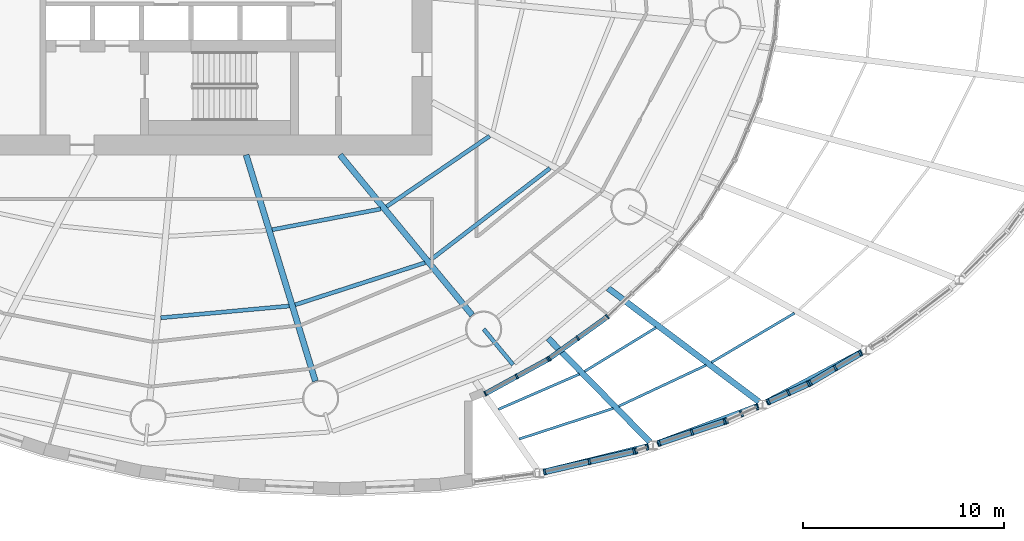
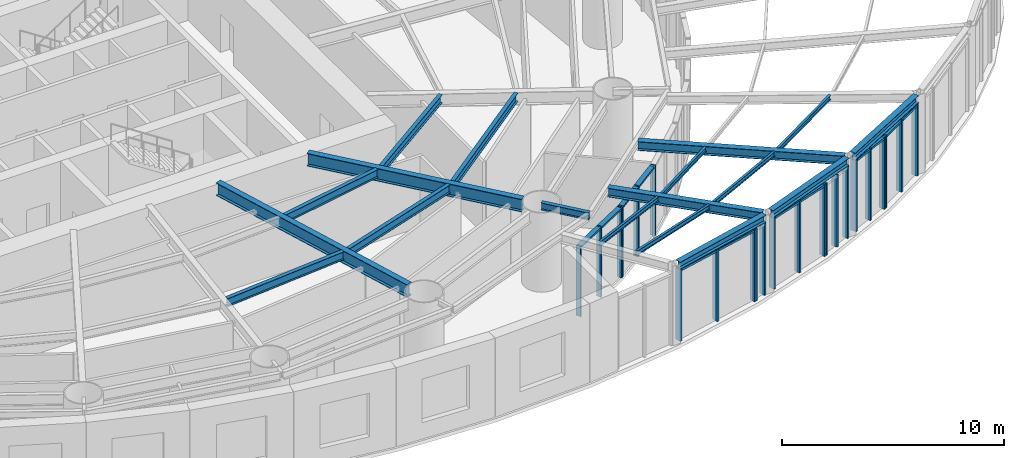
# One storey, part 5 of 23: 35 members, 18 beams, 9 elements without a shape of their own.
"""IFC4 building model written with IfcOpenShell, lengths in metres."""

from ifc_helpers import new_model, si_unit, direction, frame, origin, origin_2d, place, context, subcontext, project, spatial, rectangle, i_section, extrude, material, material_profile, profile_set, type_object, element, aggregate, save


model = new_model("IFC4")

# Units and contexts
model_context = context("Model", 3, precision=1e-05, world=origin(), true_north=direction((0.0, 1.0)))
body_context = subcontext(model_context, "Body", "Model", "MODEL_VIEW")
ifc_project = project(units=[si_unit("LENGTHUNIT", "METRE"), si_unit("AREAUNIT", "SQUARE_METRE"), si_unit("VOLUMEUNIT", "CUBIC_METRE"), si_unit("PLANEANGLEUNIT", "RADIAN"), si_unit("MASSUNIT", "GRAM", prefix="KILO")], contexts=[model_context])

# Site, building, storey
site_placement = place(None, origin())
site = spatial("IfcSite", under=ifc_project, at=site_placement, CompositionType="ELEMENT")
building_placement = place(site_placement, origin())
building = spatial("IfcBuilding", under=site, at=building_placement, Name="Vermilion Reach Broadcast Tower", CompositionType="ELEMENT")
storey_placement = place(building_placement, frame((0.0, 0.0, 31.5)))
storey = spatial("IfcBuildingStorey", under=building, at=storey_placement, Name="L04", CompositionType="ELEMENT", Elevation=31.5)

# Curtain wall, members
ifc_material_1 = material(Name="Low-e laminated clear glass in aluminium frame", Category="aluminium")
curtain_wall_type_1 = type_object("IfcCurtainWallType", Name="Atrium outer wall curtain wall", PredefinedType="NOTDEFINED", material=ifc_material_1)
placement = place(storey_placement, origin())
curtain_wall_1 = element("IfcCurtainWall", 1, at=placement, inside=storey, type_object=curtain_wall_type_1, Name="Atrium wall L04 02", PredefinedType="NOTDEFINED")
ifc_material_2 = material(Name="Anodised aluminium", Category="aluminium")
ifc_material_profile_1 = material_profile(ifc_material_2, rectangle(XDim=0.300048828125, YDim=0.10009765625, at=origin_2d()), Name="Atrium outer wall mullion 100 x 300")
ifc_profile_set_1 = profile_set([ifc_material_profile_1], Name="Anodised aluminium")
member_type_1 = type_object("IfcMemberType", Name="Atrium outer wall mullion 100 x 300", PredefinedType="MULLION", material=ifc_profile_set_1)
member_1_placement = place(storey_placement, frame((11.594482421875, -24.760009765625, 0.0), z_axis=(0.0, 0.0, 1.0), x_axis=(-0.222891523278, 0.974843253478, 0.0)))
member_1 = element("IfcMember", 2, at=member_1_placement, type_object=member_type_1, Name="Atrium wall mullion L04 02.1", PredefinedType="MULLION", context=body_context, shape_type="SweptSolid", body=[
    extrude(rectangle(XDim=0.300048828125, YDim=0.10009765625, at=origin_2d()), origin(), (0.0, 0.0, 1.0), 3.9599609375),
])
member_2_placement = place(storey_placement, frame((13.818359375, -24.251708984375, 0.0), z_axis=(0.0, 0.0, 1.0), x_axis=(-0.222891523278, 0.974843253478, 0.0)))
member_2 = element("IfcMember", 3, at=member_2_placement, type_object=member_type_1, Name="Atrium wall mullion L04 02.2", PredefinedType="MULLION", context=body_context, shape_type="SweptSolid", body=[
    extrude(rectangle(XDim=0.300048828125, YDim=0.10009765625, at=origin_2d()), origin(), (0.0, 0.0, 1.0), 3.9599609375),
])
member_3_placement = place(storey_placement, frame((16.042236328125, -23.7431640625, 0.0), z_axis=(0.0, 0.0, 1.0), x_axis=(-0.222891523278, 0.974843253478, 0.0)))
member_3 = element("IfcMember", 4, at=member_3_placement, type_object=member_type_1, Name="Atrium wall mullion L04 02.3", PredefinedType="MULLION", context=body_context, shape_type="SweptSolid", body=[
    extrude(rectangle(XDim=0.300048828125, YDim=0.10009765625, at=origin_2d()), origin(), (0.0, 0.0, 1.0), 3.9599609375),
])

curtain_wall_2 = element("IfcCurtainWall", 5, at=placement, inside=storey, type_object=curtain_wall_type_1, Name="Atrium wall L04 03-1", PredefinedType="NOTDEFINED")
member_4_placement = place(storey_placement, frame((16.138427734375, -23.71630859375, 0.0), z_axis=(0.0, 0.0, 1.0), x_axis=(-0.315228098746, 0.949015935462, 0.0)))
member_4 = element("IfcMember", 6, at=member_4_placement, type_object=member_type_1, Name="Atrium wall mullion L04 03-1.1", PredefinedType="MULLION", context=body_context, shape_type="SweptSolid", body=[
    extrude(rectangle(XDim=0.300048828125, YDim=0.10009765625, at=origin_2d()), origin(), (0.0, 0.0, 1.0), 3.9599609375),
])
member_5_placement = place(storey_placement, frame((16.67724609375, -23.537353515625, 0.0), z_axis=(0.0, 0.0, 1.0), x_axis=(-0.315228098746, 0.949015935462, 0.0)))
member_5 = element("IfcMember", 7, at=member_5_placement, type_object=member_type_1, Name="Atrium wall mullion L04 03-1.2", PredefinedType="MULLION", context=body_context, shape_type="SweptSolid", body=[
    extrude(rectangle(XDim=0.300048828125, YDim=0.10009765625, at=origin_2d()), origin(), (0.0, 0.0, 1.0), 3.9599609375),
])
aggregate(curtain_wall_2, [member_4, member_5])

curtain_wall_3 = element("IfcCurtainWall", 8, at=placement, inside=storey, type_object=curtain_wall_type_1, Name="Atrium wall L04 03-2", PredefinedType="NOTDEFINED")
member_6_placement = place(storey_placement, frame((17.2919921875, -23.3330078125, 0.0), z_axis=(0.0, 0.0, 1.0), x_axis=(-0.315228098746, 0.949015935462, 0.0)))
member_6 = element("IfcMember", 9, at=member_6_placement, type_object=member_type_1, Name="Atrium wall mullion L04 03-2.1", PredefinedType="MULLION", context=body_context, shape_type="SweptSolid", body=[
    extrude(rectangle(XDim=0.300048828125, YDim=0.10009765625, at=origin_2d()), origin(), (0.0, 0.0, 1.0), 3.9599609375),
])
member_7_placement = place(storey_placement, frame((18.91796875, -22.79296875, 0.0), z_axis=(0.0, 0.0, 1.0), x_axis=(-0.315228098746, 0.949015935462, 0.0)))
member_7 = element("IfcMember", 10, at=member_7_placement, type_object=member_type_1, Name="Atrium wall mullion L04 03-2.2", PredefinedType="MULLION", context=body_context, shape_type="SweptSolid", body=[
    extrude(rectangle(XDim=0.300048828125, YDim=0.10009765625, at=origin_2d()), origin(), (0.0, 0.0, 1.0), 3.9599609375),
])
member_8_placement = place(storey_placement, frame((20.5439453125, -22.2529296875, 0.0), z_axis=(0.0, 0.0, 1.0), x_axis=(-0.315228098746, 0.949015935462, 0.0)))
member_8 = element("IfcMember", 11, at=member_8_placement, type_object=member_type_1, Name="Atrium wall mullion L04 03-2.3", PredefinedType="MULLION", context=body_context, shape_type="SweptSolid", body=[
    extrude(rectangle(XDim=0.300048828125, YDim=0.10009765625, at=origin_2d()), origin(), (0.0, 0.0, 1.0), 3.9599609375),
])

curtain_wall_4 = element("IfcCurtainWall", 12, at=placement, inside=storey, type_object=curtain_wall_type_1, Name="Atrium wall L04 04-1", PredefinedType="NOTDEFINED")
member_9_placement = place(storey_placement, frame((20.636962890625, -22.216552734375, 0.0), z_axis=(0.0, 0.0, 1.0), x_axis=(-0.410407876277, 0.911902064418, 0.0)))
member_9 = element("IfcMember", 13, at=member_9_placement, type_object=member_type_1, Name="Atrium wall mullion L04 04-1.1", PredefinedType="MULLION", context=body_context, shape_type="SweptSolid", body=[
    extrude(rectangle(XDim=0.300048828125, YDim=0.10009765625, at=origin_2d()), origin(), (0.0, 0.0, 1.0), 3.9599609375),
])
member_10_placement = place(storey_placement, frame((21.386474609375, -21.87939453125, 0.0), z_axis=(0.0, 0.0, 1.0), x_axis=(-0.410407876277, 0.911902064418, 0.0)))
member_10 = element("IfcMember", 14, at=member_10_placement, type_object=member_type_1, Name="Atrium wall mullion L04 04-1.2", PredefinedType="MULLION", context=body_context, shape_type="SweptSolid", body=[
    extrude(rectangle(XDim=0.300048828125, YDim=0.10009765625, at=origin_2d()), origin(), (0.0, 0.0, 1.0), 3.9599609375),
])
member_11_placement = place(storey_placement, frame((22.1357421875, -21.5419921875, 0.0), z_axis=(0.0, 0.0, 1.0), x_axis=(-0.410407876277, 0.911902064418, 0.0)))
member_11 = element("IfcMember", 15, at=member_11_placement, type_object=member_type_1, Name="Atrium wall mullion L04 04-1.3", PredefinedType="MULLION", context=body_context, shape_type="SweptSolid", body=[
    extrude(rectangle(XDim=0.300048828125, YDim=0.10009765625, at=origin_2d()), origin(), (0.0, 0.0, 1.0), 3.9599609375),
])
aggregate(curtain_wall_4, [member_9, member_10, member_11])

curtain_wall_5 = element("IfcCurtainWall", 16, at=placement, inside=storey, type_object=curtain_wall_type_1, Name="Atrium wall L04 04-2", PredefinedType="NOTDEFINED")
member_12_placement = place(storey_placement, frame((22.726806640625, -21.276123046875, 0.0), z_axis=(0.0, 0.0, 1.0), x_axis=(-0.410407876277, 0.911902064418, 0.0)))
member_12 = element("IfcMember", 17, at=member_12_placement, type_object=member_type_1, Name="Atrium wall mullion L04 04-2.1", PredefinedType="MULLION", context=body_context, shape_type="SweptSolid", body=[
    extrude(rectangle(XDim=0.300048828125, YDim=0.10009765625, at=origin_2d()), origin(), (0.0, 0.0, 1.0), 3.9599609375),
])
member_13_placement = place(storey_placement, frame((23.720947265625, -20.82861328125, 0.0), z_axis=(0.0, 0.0, 1.0), x_axis=(-0.410407876277, 0.911902064418, 0.0)))
member_13 = element("IfcMember", 18, at=member_13_placement, type_object=member_type_1, Name="Atrium wall mullion L04 04-2.2", PredefinedType="MULLION", context=body_context, shape_type="SweptSolid", body=[
    extrude(rectangle(XDim=0.300048828125, YDim=0.10009765625, at=origin_2d()), origin(), (0.0, 0.0, 1.0), 3.9599609375),
])
member_14_placement = place(storey_placement, frame((24.715087890625, -20.38134765625, 0.0), z_axis=(0.0, 0.0, 1.0), x_axis=(-0.410407876277, 0.911902064418, 0.0)))
member_14 = element("IfcMember", 19, at=member_14_placement, type_object=member_type_1, Name="Atrium wall mullion L04 04-2.3", PredefinedType="MULLION", context=body_context, shape_type="SweptSolid", body=[
    extrude(rectangle(XDim=0.300048828125, YDim=0.10009765625, at=origin_2d()), origin(), (0.0, 0.0, 1.0), 3.9599609375),
])

curtain_wall_6 = element("IfcCurtainWall", 20, at=placement, inside=storey, type_object=curtain_wall_type_1, Name="Atrium wall L04 05-1", PredefinedType="NOTDEFINED")
member_15_placement = place(storey_placement, frame((24.8037109375, -20.33544921875, 0.0), z_axis=(0.0, 0.0, 1.0), x_axis=(-0.508589622127, 0.861009057017, 0.0)))
member_15 = element("IfcMember", 21, at=member_15_placement, type_object=member_type_1, Name="Atrium wall mullion L04 05-1.1", PredefinedType="MULLION", context=body_context, shape_type="SweptSolid", body=[
    extrude(rectangle(XDim=0.300048828125, YDim=0.10009765625, at=origin_2d()), origin(), (0.0, 0.0, 1.0), 3.9599609375),
])
member_16_placement = place(storey_placement, frame((26.0478515625, -19.6005859375, 0.0), z_axis=(0.0, 0.0, 1.0), x_axis=(-0.508589622127, 0.861009057017, 0.0)))
member_16 = element("IfcMember", 22, at=member_16_placement, type_object=member_type_1, Name="Atrium wall mullion L04 05-1.2", PredefinedType="MULLION", context=body_context, shape_type="SweptSolid", body=[
    extrude(rectangle(XDim=0.300048828125, YDim=0.10009765625, at=origin_2d()), origin(), (0.0, 0.0, 1.0), 3.9599609375),
])
member_17_placement = place(storey_placement, frame((27.291748046875, -18.86572265625, 0.0), z_axis=(0.0, 0.0, 1.0), x_axis=(-0.508589622127, 0.861009057017, 0.0)))
member_17 = element("IfcMember", 23, at=member_17_placement, type_object=member_type_1, Name="Atrium wall mullion L04 05-1.3", PredefinedType="MULLION", context=body_context, shape_type="SweptSolid", body=[
    extrude(rectangle(XDim=0.300048828125, YDim=0.10009765625, at=origin_2d()), origin(), (0.0, 0.0, 1.0), 3.9599609375),
])

# Member
ifc_material_3 = material(Name="Anodised aluminium", Category="aluminium")
ifc_material_profile_2 = material_profile(ifc_material_3, rectangle(XDim=0.300048828125, YDim=0.1201171875, at=origin_2d()), Name="Atrium outer wall transom 300 x 120")
ifc_profile_set_2 = profile_set([ifc_material_profile_2], Name="Anodised aluminium")
member_type_2 = type_object("IfcMemberType", Name="Atrium outer wall transom 300 x 120", PredefinedType="USERDEFINED", material=ifc_profile_set_2)
member_18_placement = place(storey_placement, frame((11.643310546875, -24.7490234375, 3.89990234375), z_axis=(0.97483071414, 0.222946358504, 0.0), x_axis=(-0.222946358504, 0.97483071414, 0.0)))
member_18 = element("IfcMember", 24, at=member_18_placement, type_object=member_type_2, Name="Atrium wall transom L04 02.1.2", ObjectType="TRANSOM", PredefinedType="USERDEFINED", context=body_context, shape_type="SweptSolid", body=[
    extrude(rectangle(XDim=0.300048828125, YDim=0.1201171875, at=origin_2d()), origin(), (0.0, 0.0, 1.0), 2.181396484375),
])

member_19_placement = place(storey_placement, frame((13.8671875, -24.240478515625, 3.89990234375), z_axis=(0.97485503326, 0.222839996696, 0.0), x_axis=(-0.222839996696, 0.97485503326, 0.0)))
member_19 = element("IfcMember", 25, at=member_19_placement, type_object=member_type_2, Name="Atrium wall transom L04 02.2.2", ObjectType="TRANSOM", PredefinedType="USERDEFINED", context=body_context, shape_type="SweptSolid", body=[
    extrude(rectangle(XDim=0.300048828125, YDim=0.1201171875, at=origin_2d()), origin(), (0.0, 0.0, 1.0), 2.181396484375),
])

aggregate(curtain_wall_1, [member_1, member_2, member_3, member_18, member_19])

member_20_placement = place(storey_placement, frame((17.339599609375, -23.3173828125, 3.89990234375), z_axis=(0.949015707131, 0.315228786151, 0.0), x_axis=(-0.315228786151, 0.949015707131, 0.0)))
member_20 = element("IfcMember", 26, at=member_20_placement, type_object=member_type_2, Name="Atrium wall transom L04 03-2.1.2", ObjectType="TRANSOM", PredefinedType="USERDEFINED", context=body_context, shape_type="SweptSolid", body=[
    extrude(rectangle(XDim=0.300048828125, YDim=0.1201171875, at=origin_2d()), origin(), (0.0, 0.0, 1.0), 1.61328125),
])

member_21_placement = place(storey_placement, frame((18.965576171875, -22.777099609375, 3.89990234375), z_axis=(0.949015707131, 0.315228786151, 0.0), x_axis=(-0.315228786151, 0.949015707131, 0.0)))
member_21 = element("IfcMember", 27, at=member_21_placement, type_object=member_type_2, Name="Atrium wall transom L04 03-2.2.2", ObjectType="TRANSOM", PredefinedType="USERDEFINED", context=body_context, shape_type="SweptSolid", body=[
    extrude(rectangle(XDim=0.300048828125, YDim=0.1201171875, at=origin_2d()), origin(), (0.0, 0.0, 1.0), 1.61328125),
])

aggregate(curtain_wall_3, [member_6, member_7, member_8, member_20, member_21])

member_22_placement = place(storey_placement, frame((22.772216796875, -21.255615234375, 3.89990234375), z_axis=(0.911879986632, 0.410456928289, 0.0), x_axis=(-0.410456928289, 0.911879986632, 0.0)))
member_22 = element("IfcMember", 28, at=member_22_placement, type_object=member_type_2, Name="Atrium wall transom L04 04-2.1.2", ObjectType="TRANSOM", PredefinedType="USERDEFINED", context=body_context, shape_type="SweptSolid", body=[
    extrude(rectangle(XDim=0.300048828125, YDim=0.1201171875, at=origin_2d()), origin(), (0.0, 0.0, 1.0), 0.990234375),
])

member_23_placement = place(storey_placement, frame((23.766357421875, -20.80810546875, 3.89990234375), z_axis=(0.911972242519, 0.410251909044, 0.0), x_axis=(-0.410251909044, 0.911972242519, 0.0)))
member_23 = element("IfcMember", 29, at=member_23_placement, type_object=member_type_2, Name="Atrium wall transom L04 04-2.2.2", ObjectType="TRANSOM", PredefinedType="USERDEFINED", context=body_context, shape_type="SweptSolid", body=[
    extrude(rectangle(XDim=0.300048828125, YDim=0.1201171875, at=origin_2d()), origin(), (0.0, 0.0, 1.0), 0.990234375),
])

aggregate(curtain_wall_5, [member_12, member_13, member_14, member_22, member_23])

member_24_placement = place(storey_placement, frame((24.8466796875, -20.309814453125, 3.89990234375), z_axis=(0.861060223376, 0.508502990866, 0.0), x_axis=(-0.508502990866, 0.861060223376, 0.0)))
member_24 = element("IfcMember", 30, at=member_24_placement, type_object=member_type_2, Name="Atrium wall transom L04 05-1.1.2", ObjectType="TRANSOM", PredefinedType="USERDEFINED", context=body_context, shape_type="SweptSolid", body=[
    extrude(rectangle(XDim=0.300048828125, YDim=0.1201171875, at=origin_2d()), origin(), (0.0, 0.0, 1.0), 1.3447265625),
])

member_25_placement = place(storey_placement, frame((26.0908203125, -19.574951171875, 3.89990234375), z_axis=(0.861060223376, 0.508502990866, 0.0), x_axis=(-0.508502990866, 0.861060223376, 0.0)))
member_25 = element("IfcMember", 31, at=member_25_placement, type_object=member_type_2, Name="Atrium wall transom L04 05-1.2.2", ObjectType="TRANSOM", PredefinedType="USERDEFINED", context=body_context, shape_type="SweptSolid", body=[
    extrude(rectangle(XDim=0.300048828125, YDim=0.1201171875, at=origin_2d()), origin(), (0.0, 0.0, 1.0), 1.3447265625),
])

aggregate(curtain_wall_6, [member_15, member_16, member_17, member_24, member_25])

# Curtain wall, member
ifc_material_4 = material(Name="Low-e laminated clear glass in aluminium frame", Category="aluminium")
curtain_wall_type_2 = type_object("IfcCurtainWallType", Name="Drum wall curtain wall", PredefinedType="NOTDEFINED", material=ifc_material_4)
curtain_wall_7 = element("IfcCurtainWall", 32, at=placement, inside=storey, type_object=curtain_wall_type_2, Name="Drum wall L04 14", PredefinedType="NOTDEFINED")
ifc_material_5 = material(Name="Anodised aluminium", Category="aluminium")
ifc_material_profile_3 = material_profile(ifc_material_5, rectangle(XDim=0.25, YDim=0.080078125, at=origin_2d()), Name="Drum wall mullion 80 x 250")
ifc_profile_set_3 = profile_set([ifc_material_profile_3], Name="Anodised aluminium")
member_type_3 = type_object("IfcMemberType", Name="Drum wall mullion 80 x 250", PredefinedType="MULLION", material=ifc_profile_set_3)
member_26_placement = place(storey_placement, frame((14.710693359375, -17.047119140625, 0.0), z_axis=(0.0, 0.0, 1.0), x_axis=(0.682747869342, -0.730654054194, 0.0)))
member_26 = element("IfcMember", 33, at=member_26_placement, type_object=member_type_3, Name="Drum wall mullion L04 14.3", PredefinedType="MULLION", context=body_context, shape_type="SweptSolid", body=[
    extrude(rectangle(XDim=0.25, YDim=0.080078125, at=origin_2d()), origin(), (0.0, 0.0, 1.0), 3.862060546875),
])
aggregate(curtain_wall_7, [member_26])

# Curtain wall, members
curtain_wall_8 = element("IfcCurtainWall", 34, at=placement, inside=storey, type_object=curtain_wall_type_2, Name="Drum wall L04 15", PredefinedType="NOTDEFINED")
member_27_placement = place(storey_placement, frame((13.23974609375, -18.1103515625, 0.0), z_axis=(0.0, 0.0, 1.0), x_axis=(0.583587074286, -0.812050569069, 0.0)))
member_27 = element("IfcMember", 35, at=member_27_placement, type_object=member_type_3, Name="Drum wall mullion L04 15.2", PredefinedType="MULLION", context=body_context, shape_type="SweptSolid", body=[
    extrude(rectangle(XDim=0.25, YDim=0.080078125, at=origin_2d()), origin(), (0.0, 0.0, 1.0), 3.862060546875),
])
member_28_placement = place(storey_placement, frame((11.830810546875, -19.123046875, 0.0), z_axis=(0.0, 0.0, 1.0), x_axis=(0.583587074286, -0.812050569069, 0.0)))
member_28 = element("IfcMember", 36, at=member_28_placement, type_object=member_type_3, Name="Drum wall mullion L04 15.3", PredefinedType="MULLION", context=body_context, shape_type="SweptSolid", body=[
    extrude(rectangle(XDim=0.25, YDim=0.080078125, at=origin_2d()), origin(), (0.0, 0.0, 1.0), 3.862060546875),
])

curtain_wall_9 = element("IfcCurtainWall", 37, at=placement, inside=storey, type_object=curtain_wall_type_2, Name="Drum wall L04 16", PredefinedType="NOTDEFINED")
member_29_placement = place(storey_placement, frame((11.76318359375, -19.16552734375, 0.0), z_axis=(0.0, 0.0, 1.0), x_axis=(0.480269272265, -0.87712110117, 0.0)))
member_29 = element("IfcMember", 38, at=member_29_placement, type_object=member_type_3, Name="Drum wall mullion L04 16.1", PredefinedType="MULLION", context=body_context, shape_type="SweptSolid", body=[
    extrude(rectangle(XDim=0.25, YDim=0.080078125, at=origin_2d()), origin(), (0.0, 0.0, 1.0), 3.862060546875),
])
member_30_placement = place(storey_placement, frame((10.2060546875, -20.01806640625, 0.0), z_axis=(0.0, 0.0, 1.0), x_axis=(0.480269272265, -0.87712110117, 0.0)))
member_30 = element("IfcMember", 39, at=member_30_placement, type_object=member_type_3, Name="Drum wall mullion L04 16.2", PredefinedType="MULLION", context=body_context, shape_type="SweptSolid", body=[
    extrude(rectangle(XDim=0.25, YDim=0.080078125, at=origin_2d()), origin(), (0.0, 0.0, 1.0), 3.862060546875),
])
member_31_placement = place(storey_placement, frame((8.648681640625, -20.870849609375, 0.0), z_axis=(0.0, 0.0, 1.0), x_axis=(0.480269272265, -0.87712110117, 0.0)))
member_31 = element("IfcMember", 40, at=member_31_placement, type_object=member_type_3, Name="Drum wall mullion L04 16.3", PredefinedType="MULLION", context=body_context, shape_type="SweptSolid", body=[
    extrude(rectangle(XDim=0.25, YDim=0.080078125, at=origin_2d()), origin(), (0.0, 0.0, 1.0), 3.862060546875),
])

# Member
ifc_material_6 = material(Name="Anodised aluminium", Category="aluminium")
ifc_material_profile_4 = material_profile(ifc_material_6, rectangle(XDim=0.25, YDim=0.10009765625, at=origin_2d()), Name="Drum wall transom 250 x 100")
ifc_profile_set_4 = profile_set([ifc_material_profile_4], Name="Anodised aluminium")
member_type_4 = type_object("IfcMemberType", Name="Drum wall transom 250 x 100", PredefinedType="USERDEFINED", material=ifc_profile_set_4)
member_32_placement = place(storey_placement, frame((14.616455078125, -17.12109375, 3.81201171875), z_axis=(-0.812115843093, -0.583496235975, 0.0), x_axis=(0.583496235975, -0.812115843093, 0.0)))
member_32 = element("IfcMember", 41, at=member_32_placement, type_object=member_type_4, Name="Drum wall transom L04 15.1.2", ObjectType="TRANSOM", PredefinedType="USERDEFINED", context=body_context, shape_type="SweptSolid", body=[
    extrude(rectangle(XDim=0.25, YDim=0.10009765625, at=origin_2d()), origin(), (0.0, 0.0, 1.0), 1.6552734375),
])

member_33_placement = place(storey_placement, frame((13.207275390625, -18.1337890625, 3.81201171875), z_axis=(-0.812065616245, -0.583566135852, 0.0), x_axis=(0.583566135852, -0.812065616245, 0.0)))
member_33 = element("IfcMember", 42, at=member_33_placement, type_object=member_type_4, Name="Drum wall transom L04 15.2.2", ObjectType="TRANSOM", PredefinedType="USERDEFINED", context=body_context, shape_type="SweptSolid", body=[
    extrude(rectangle(XDim=0.25, YDim=0.10009765625, at=origin_2d()), origin(), (0.0, 0.0, 1.0), 1.655029296875),
])

aggregate(curtain_wall_8, [member_27, member_28, member_32, member_33])

member_34_placement = place(storey_placement, frame((11.72802734375, -19.184814453125, 3.81201171875), z_axis=(-0.877096267842, -0.480314622866, 0.0), x_axis=(0.480314622866, -0.877096267842, 0.0)))
member_34 = element("IfcMember", 43, at=member_34_placement, type_object=member_type_4, Name="Drum wall transom L04 16.1.2", ObjectType="TRANSOM", PredefinedType="USERDEFINED", context=body_context, shape_type="SweptSolid", body=[
    extrude(rectangle(XDim=0.25, YDim=0.10009765625, at=origin_2d()), origin(), (0.0, 0.0, 1.0), 1.695068359375),
])

member_35_placement = place(storey_placement, frame((10.1708984375, -20.037353515625, 3.81201171875), z_axis=(-0.877129487817, -0.480253955322, 0.0), x_axis=(0.480253955322, -0.877129487817, 0.0)))
member_35 = element("IfcMember", 44, at=member_35_placement, type_object=member_type_4, Name="Drum wall transom L04 16.2.2", ObjectType="TRANSOM", PredefinedType="USERDEFINED", context=body_context, shape_type="SweptSolid", body=[
    extrude(rectangle(XDim=0.25, YDim=0.10009765625, at=origin_2d()), origin(), (0.0, 0.0, 1.0), 1.6953125),
])

aggregate(curtain_wall_9, [member_29, member_30, member_31, member_34, member_35])

# Beams
ifc_material_7 = material(Name="Steel S355J2", Category="steel")
ifc_material_profile_5 = material_profile(ifc_material_7, i_section(OverallWidth=0.300048828125, OverallDepth=0.699951171875, WebThickness=0.012939453125, FlangeThickness=0.02392578125, at=origin_2d()), Name="S355J2 HN 700x300x13x24")
ifc_profile_set_5 = profile_set([ifc_material_profile_5], Name="Steel S355J2")
beam_type_1 = type_object("IfcBeamType", Name="G1 HN 700x300x13x24", PredefinedType="BEAM", material=ifc_profile_set_5)
beam_1_placement = place(storey_placement, frame((-3.246826171875, -9.0, 4.0), z_axis=(0.292542302886, -0.95625258223, 0.0), x_axis=(0.95625258223, 0.292542302886, 0.0)))
element("IfcBeam", 45, at=beam_1_placement, inside=storey, type_object=beam_type_1, Name="Girder G1-13", PredefinedType="BEAM", context=body_context, shape_type="SweptSolid", body=[
    extrude(i_section(OverallWidth=0.300048828125, OverallDepth=0.699951171875, WebThickness=0.012939453125, FlangeThickness=0.02392578125, at=origin_2d()), origin(), (0.0, 0.0, 1.0), 11.76220703125),
])
beam_2_placement = place(storey_placement, frame((1.421630859375, -9.0, 4.0), z_axis=(0.636215165107, -0.77151167437, 0.0), x_axis=(0.77151167437, 0.636215165107, 0.0)))
element("IfcBeam", 46, at=beam_2_placement, inside=storey, type_object=beam_type_1, Name="Girder G1-14", PredefinedType="BEAM", context=body_context, shape_type="SweptSolid", body=[
    extrude(i_section(OverallWidth=0.300048828125, OverallDepth=0.699951171875, WebThickness=0.012939453125, FlangeThickness=0.02392578125, at=origin_2d()), origin(), (0.0, 0.0, 1.0), 10.3251953125),
])
ifc_material_8 = material(Name="Steel S355J2", Category="steel")
ifc_material_profile_6 = material_profile(ifc_material_8, i_section(OverallWidth=0.199951171875, OverallDepth=0.39990234375, WebThickness=0.008056640625, FlangeThickness=0.012939453125, at=origin_2d()), Name="S355J2 HN 400x200x8x13")
ifc_profile_set_6 = profile_set([ifc_material_profile_6], Name="Steel S355J2")
beam_type_2 = type_object("IfcBeamType", Name="GC1 HN 400x200x8x13", PredefinedType="BEAM", material=ifc_profile_set_6)
beam_3_placement = place(storey_placement, frame((8.563232421875, -17.660400390625, 4.14990234375), z_axis=(0.636217071365, -0.771510102399, 0.0), x_axis=(0.771510102399, 0.636217071365, 0.0)))
element("IfcBeam", 47, at=beam_3_placement, inside=storey, type_object=beam_type_2, Name="Cantilever girder GC1-14", PredefinedType="BEAM", context=body_context, shape_type="SweptSolid", body=[
    extrude(i_section(OverallWidth=0.199951171875, OverallDepth=0.39990234375, WebThickness=0.008056640625, FlangeThickness=0.012939453125, at=origin_2d()), origin(), (0.0, 0.0, 1.0), 2.299072265625),
])
ifc_material_9 = material(Name="Steel S355J2", Category="steel")
ifc_material_profile_7 = material_profile(ifc_material_9, i_section(OverallWidth=0.125, OverallDepth=0.25, WebThickness=0.006103515625, FlangeThickness=0.009033203125, at=origin_2d()), Name="S355J2 HN 250x125x6x9")
ifc_profile_set_7 = profile_set([ifc_material_profile_7], Name="Steel S355J2")
beam_type_3 = type_object("IfcBeamType", Name="PU1 HN 250x125x6x9", PredefinedType="JOIST", material=ifc_profile_set_7)
beam_4_placement = place(storey_placement, frame((9.301513671875, -21.648193359375, 4.22509765625), z_axis=(0.917014260582, 0.398854416911, 0.0), x_axis=(-0.398854416911, 0.917014260582, 0.0)))
element("IfcBeam", 48, at=beam_4_placement, inside=storey, type_object=beam_type_3, Name="Atrium purlin PU1-01-1", PredefinedType="JOIST", context=body_context, shape_type="SweptSolid", body=[
    extrude(i_section(OverallWidth=0.125, OverallDepth=0.25, WebThickness=0.006103515625, FlangeThickness=0.009033203125, at=origin_2d()), origin(), (0.0, 0.0, 1.0), 4.38330078125),
])
beam_5_placement = place(storey_placement, frame((10.330322265625, -23.126708984375, 4.22509765625), z_axis=(0.950856802261, 0.309630976477, 0.0), x_axis=(-0.309630976477, 0.950856802261, 0.0)))
element("IfcBeam", 49, at=beam_5_placement, inside=storey, type_object=beam_type_3, Name="Atrium purlin PU1-01-2", PredefinedType="JOIST", context=body_context, shape_type="SweptSolid", body=[
    extrude(i_section(OverallWidth=0.125, OverallDepth=0.25, WebThickness=0.006103515625, FlangeThickness=0.009033203125, at=origin_2d()), origin(), (0.0, 0.0, 1.0), 4.9130859375),
])
beam_6_placement = place(storey_placement, frame((13.58642578125, -19.76171875, 4.22509765625), z_axis=(0.852617298955, 0.522535875823, 0.0), x_axis=(-0.522535875823, 0.852617298955, 0.0)))
element("IfcBeam", 50, at=beam_6_placement, inside=storey, type_object=beam_type_3, Name="Atrium purlin PU1-02-1", PredefinedType="JOIST", context=body_context, shape_type="SweptSolid", body=[
    extrude(i_section(OverallWidth=0.125, OverallDepth=0.25, WebThickness=0.006103515625, FlangeThickness=0.009033203125, at=origin_2d()), origin(), (0.0, 0.0, 1.0), 4.154541015625),
])
beam_7_placement = place(storey_placement, frame((15.2802734375, -21.495361328125, 4.22509765625), z_axis=(0.905233746059, 0.424913950108, 0.0), x_axis=(-0.424913950108, 0.905233746059, 0.0)))
element("IfcBeam", 51, at=beam_7_placement, inside=storey, type_object=beam_type_3, Name="Atrium purlin PU1-02-2", PredefinedType="JOIST", context=body_context, shape_type="SweptSolid", body=[
    extrude(i_section(OverallWidth=0.125, OverallDepth=0.25, WebThickness=0.006103515625, FlangeThickness=0.009033203125, at=origin_2d()), origin(), (0.0, 0.0, 1.0), 4.794189453125),
])
beam_8_placement = place(storey_placement, frame((19.885009765625, -19.31787109375, 4.22509765625), z_axis=(0.860194898387, 0.509965427052, 0.0), x_axis=(-0.509965427052, 0.860194898387, 0.0)))
element("IfcBeam", 52, at=beam_8_placement, inside=storey, type_object=beam_type_3, Name="Atrium purlin PU1-03-2", PredefinedType="JOIST", context=body_context, shape_type="SweptSolid", body=[
    extrude(i_section(OverallWidth=0.125, OverallDepth=0.25, WebThickness=0.006103515625, FlangeThickness=0.009033203125, at=origin_2d()), origin(), (0.0, 0.0, 1.0), 4.80224609375),
])
ifc_material_10 = material(Name="Steel S355J2", Category="steel")
ifc_material_profile_8 = material_profile(ifc_material_10, i_section(OverallWidth=0.300048828125, OverallDepth=0.488037109375, WebThickness=0.010986328125, FlangeThickness=0.01806640625, at=origin_2d()), Name="S355J2 HM 488x300x11x18")
ifc_profile_set_8 = profile_set([ifc_material_profile_8], Name="Steel S355J2")
beam_type_4 = type_object("IfcBeamType", Name="RF1 HM 488x300x11x18", PredefinedType="BEAM", material=ifc_profile_set_8)
beam_9_placement = place(storey_placement, frame((11.772705078125, -18.120849609375, 4.10595703125), z_axis=(0.70019541511, -0.713951245295, 0.0), x_axis=(0.713951245295, 0.70019541511, 0.0)))
element("IfcBeam", 53, at=beam_9_placement, inside=storey, type_object=beam_type_4, Name="Atrium rafter RF1-02", PredefinedType="BEAM", context=body_context, shape_type="SweptSolid", body=[
    extrude(i_section(OverallWidth=0.300048828125, OverallDepth=0.488037109375, WebThickness=0.010986328125, FlangeThickness=0.01806640625, at=origin_2d()), origin(), (0.0, 0.0, 1.0), 7.223388671875),
])
beam_10_placement = place(storey_placement, frame((14.7568359375, -15.630126953125, 4.10595703125), z_axis=(0.798843713898, -0.601538627825, 0.0), x_axis=(0.601538627825, 0.798843713898, 0.0)))
element("IfcBeam", 54, at=beam_10_placement, inside=storey, type_object=beam_type_4, Name="Atrium rafter RF1-03", PredefinedType="BEAM", context=body_context, shape_type="SweptSolid", body=[
    extrude(i_section(OverallWidth=0.300048828125, OverallDepth=0.488037109375, WebThickness=0.010986328125, FlangeThickness=0.01806640625, at=origin_2d()), origin(), (0.0, 0.0, 1.0), 9.38671875),
])
ifc_material_11 = material(Name="Steel S355J2", Category="steel")
ifc_material_profile_9 = material_profile(ifc_material_11, i_section(OverallWidth=0.300048828125, OverallDepth=0.389892578125, WebThickness=0.010009765625, FlangeThickness=0.01611328125, at=origin_2d()), Name="S355J2 HM 390x300x10x16")
ifc_profile_set_9 = profile_set([ifc_material_profile_9], Name="Steel S355J2")
beam_type_5 = type_object("IfcBeamType", Name="RM1 HM 390x300x10x16", PredefinedType="BEAM", material=ifc_profile_set_9)
beam_11_placement = place(storey_placement, frame((11.55078125, -24.7666015625, 4.155029296875), z_axis=(0.97127010403, 0.237979799598, 0.0), x_axis=(-0.237979799598, 0.97127010403, 0.0)))
element("IfcBeam", 55, at=beam_11_placement, inside=storey, type_object=beam_type_5, Name="Rim beam AP01-AP02", PredefinedType="BEAM", context=body_context, shape_type="SweptSolid", body=[
    extrude(i_section(OverallWidth=0.300048828125, OverallDepth=0.389892578125, WebThickness=0.010009765625, FlangeThickness=0.01611328125, at=origin_2d()), origin(), (0.0, 0.0, 1.0), 5.37451171875),
])
beam_12_placement = place(storey_placement, frame((17.190673828125, -23.3583984375, 4.155029296875), z_axis=(0.937250522131, 0.348656648818, 0.0), x_axis=(-0.348656648818, 0.937250522131, 0.0)))
element("IfcBeam", 56, at=beam_12_placement, inside=storey, type_object=beam_type_5, Name="Rim beam AP02-AP03", PredefinedType="BEAM", context=body_context, shape_type="SweptSolid", body=[
    extrude(i_section(OverallWidth=0.300048828125, OverallDepth=0.389892578125, WebThickness=0.010009765625, FlangeThickness=0.01611328125, at=origin_2d()), origin(), (0.0, 0.0, 1.0), 5.37158203125),
])
beam_13_placement = place(storey_placement, frame((22.625732421875, -21.306396484375, 4.155029296875), z_axis=(0.884684356477, 0.46619050763, 0.0), x_axis=(-0.46619050763, 0.884684356477, 0.0)))
element("IfcBeam", 57, at=beam_13_placement, inside=storey, type_object=beam_type_5, Name="Rim beam AP03-AP04", PredefinedType="BEAM", context=body_context, shape_type="SweptSolid", body=[
    extrude(i_section(OverallWidth=0.300048828125, OverallDepth=0.389892578125, WebThickness=0.010009765625, FlangeThickness=0.01611328125, at=origin_2d()), origin(), (0.0, 0.0, 1.0), 5.369384765625),
])
ifc_material_12 = material(Name="Steel S355J2", Category="steel")
ifc_material_profile_10 = material_profile(ifc_material_12, i_section(OverallWidth=0.199951171875, OverallDepth=0.449951171875, WebThickness=0.009033203125, FlangeThickness=0.013916015625, at=origin_2d()), Name="S355J2 HN 450x200x9x14")
ifc_profile_set_10 = profile_set([ifc_material_profile_10], Name="Steel S355J2")
beam_type_6 = type_object("IfcBeamType", Name="SB1 HN 450x200x9x14", PredefinedType="BEAM", material=ifc_profile_set_10)
beam_14_placement = place(storey_placement, frame((-7.49267578125, -17.09814453125, 4.125), z_axis=(0.995818616382, 0.091352521952, 0.0), x_axis=(-0.091352521952, 0.995818616382, 0.0)))
element("IfcBeam", 58, at=beam_14_placement, inside=storey, type_object=beam_type_6, Name="Secondary beam SB1-12-2", PredefinedType="BEAM", context=body_context, shape_type="SweptSolid", body=[
    extrude(i_section(OverallWidth=0.199951171875, OverallDepth=0.449951171875, WebThickness=0.009033203125, FlangeThickness=0.013916015625, at=origin_2d()), origin(), (0.0, 0.0, 1.0), 6.4140625),
])
beam_15_placement = place(storey_placement, frame((-1.95166015625, -12.720703125, 4.125), z_axis=(0.982151348822, 0.188092339045, 0.0), x_axis=(-0.188092339045, 0.982151348822, 0.0)))
element("IfcBeam", 59, at=beam_15_placement, inside=storey, type_object=beam_type_6, Name="Secondary beam SB1-13-1", PredefinedType="BEAM", context=body_context, shape_type="SweptSolid", body=[
    extrude(i_section(OverallWidth=0.199951171875, OverallDepth=0.449951171875, WebThickness=0.009033203125, FlangeThickness=0.013916015625, at=origin_2d()), origin(), (0.0, 0.0, 1.0), 5.4931640625),
])
beam_16_placement = place(storey_placement, frame((-0.81005859375, -16.4521484375, 4.125), z_axis=(0.951332300844, 0.308166924523, 0.0), x_axis=(-0.308166924523, 0.951332300844, 0.0)))
element("IfcBeam", 60, at=beam_16_placement, inside=storey, type_object=beam_type_6, Name="Secondary beam SB1-13-2", PredefinedType="BEAM", context=body_context, shape_type="SweptSolid", body=[
    extrude(i_section(OverallWidth=0.199951171875, OverallDepth=0.449951171875, WebThickness=0.009033203125, FlangeThickness=0.013916015625, at=origin_2d()), origin(), (0.0, 0.0, 1.0), 6.787841796875),
])
beam_17_placement = place(storey_placement, frame((3.735595703125, -11.5703125, 4.125), z_axis=(0.825140253447, 0.564927926502, 0.0), x_axis=(-0.564927926502, 0.825140253447, 0.0)))
element("IfcBeam", 61, at=beam_17_placement, inside=storey, type_object=beam_type_6, Name="Secondary beam SB1-14-1", PredefinedType="BEAM", context=body_context, shape_type="SweptSolid", body=[
    extrude(i_section(OverallWidth=0.199951171875, OverallDepth=0.449951171875, WebThickness=0.009033203125, FlangeThickness=0.013916015625, at=origin_2d()), origin(), (0.0, 0.0, 1.0), 6.20458984375),
])
beam_18_placement = place(storey_placement, frame((5.920166015625, -14.21923828125, 4.125), z_axis=(0.793349617473, 0.60876628065, 0.0), x_axis=(-0.60876628065, 0.793349617473, 0.0)))
element("IfcBeam", 62, at=beam_18_placement, inside=storey, type_object=beam_type_6, Name="Secondary beam SB1-14-2", PredefinedType="BEAM", context=body_context, shape_type="SweptSolid", body=[
    extrude(i_section(OverallWidth=0.199951171875, OverallDepth=0.449951171875, WebThickness=0.009033203125, FlangeThickness=0.013916015625, at=origin_2d()), origin(), (0.0, 0.0, 1.0), 7.486328125),
])

save(model, "model.ifc")
